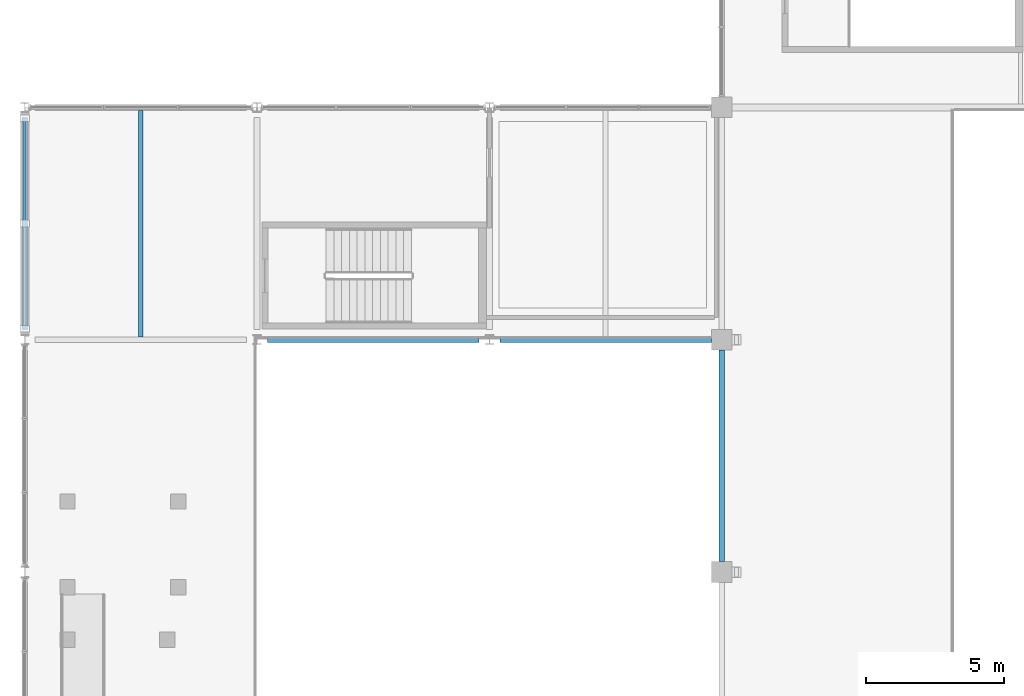
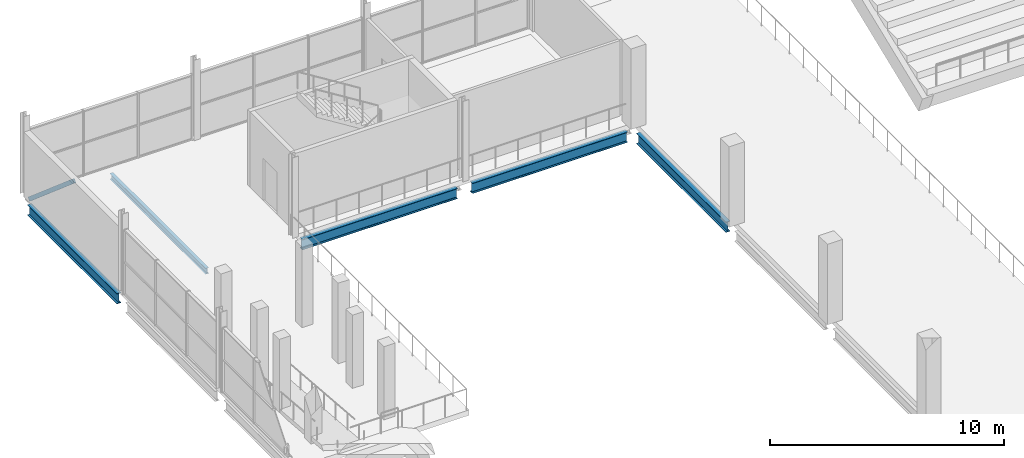
# One storey, part 49 of 161: 5 beams, 1 member.
"""IFC4 building model written with IfcOpenShell, lengths in metres."""

from ifc_helpers import new_model, si_unit, direction, frame, origin, origin_2d, place, context, subcontext, project, spatial, hollow_rectangle, i_section, extrude, material, material_profile, profile_set, type_object, element, save


model = new_model("IFC4")

# Units and contexts
model_context = context("Model", 3, precision=1e-05, world=origin(), true_north=direction((0.0, 1.0)))
body_context = subcontext(model_context, "Body", "Model", "MODEL_VIEW")
ifc_project = project(units=[si_unit("LENGTHUNIT", "METRE"), si_unit("AREAUNIT", "SQUARE_METRE"), si_unit("VOLUMEUNIT", "CUBIC_METRE"), si_unit("PLANEANGLEUNIT", "RADIAN"), si_unit("MASSUNIT", "GRAM", prefix="KILO"), si_unit("THERMODYNAMICTEMPERATUREUNIT", "KELVIN")], contexts=[model_context])

# Site, building, storey
site_placement = place(None, origin())
site = spatial("IfcSite", under=ifc_project, at=site_placement, CompositionType="ELEMENT")
building_placement = place(site_placement, origin())
building = spatial("IfcBuilding", under=site, at=building_placement, Name="Nduvali Passage Aquatics Centre", CompositionType="ELEMENT")
storey_placement = place(building_placement, frame((0.0, 0.0, 4.800048828125)))
storey = spatial("IfcBuildingStorey", under=building, at=storey_placement, Name="L01", CompositionType="ELEMENT", Elevation=4.800048828125)

# Beams
ifc_material = material(Name="Steel S355", Category="steel")
ifc_material_profile_1 = material_profile(ifc_material, i_section(OverallWidth=0.210693359375, OverallDepth=0.53955078125, WebThickness=0.01171875, FlangeThickness=0.018798828125, FilletRadius=0.0126953125, at=origin_2d()), Name="UKB 533x210x109")
ifc_profile_set_1 = profile_set([ifc_material_profile_1], Name="Steel S355")
beam_type_1 = type_object("IfcBeamType", Name="STR-BM-UKB533", PredefinedType="BEAM", material=ifc_profile_set_1)
beam_1_placement = place(storey_placement, frame((8.77490234375, 75.60009765625, -0.553955078125), z_axis=(1.0, 0.0, 0.0), x_axis=(0.0, 1.0, 0.0)))
element("IfcBeam", 1, at=beam_1_placement, inside=storey, type_object=beam_type_1, Name="L01 Primary X-Girder B6-0500", PredefinedType="BEAM", context=body_context, shape_type="SweptSolid", body=[
    extrude(i_section(OverallWidth=0.210693359375, OverallDepth=0.53955078125, WebThickness=0.01171875, FlangeThickness=0.018798828125, FilletRadius=0.0126953125, at=origin_2d()), origin(), (0.0, 0.0, 1.0), 7.650146484375),
])
beam_2_placement = place(storey_placement, frame((17.175048828125, 75.60009765625, -0.553955078125), z_axis=(1.0, 0.0, 0.0), x_axis=(0.0, 1.0, 0.0)))
element("IfcBeam", 2, at=beam_2_placement, inside=storey, type_object=beam_type_1, Name="L01 Primary X-Girder B6-0501", PredefinedType="BEAM", context=body_context, shape_type="SweptSolid", body=[
    extrude(i_section(OverallWidth=0.210693359375, OverallDepth=0.53955078125, WebThickness=0.01171875, FlangeThickness=0.018798828125, FilletRadius=0.0126953125, at=origin_2d()), origin(), (0.0, 0.0, 1.0), 7.64990234375),
])
ifc_material_profile_2 = material_profile(ifc_material, i_section(OverallWidth=0.210693359375, OverallDepth=0.53955078125, WebThickness=0.01171875, FlangeThickness=0.018798828125, FilletRadius=0.0126953125, at=origin_2d()), Name="UKB 533x210x109")
ifc_profile_set_2 = profile_set([ifc_material_profile_2], Name="Steel S355")
beam_type_2 = type_object("IfcBeamType", Name="STR-BM-UKB533-EXT", PredefinedType="BEAM", material=ifc_profile_set_2)
beam_3_placement = place(storey_placement, frame((0.0, 75.97509765625, -0.553955078125), z_axis=(0.0, 1.0, 0.0), x_axis=(-1.0, 0.0, 0.0)))
element("IfcBeam", 3, at=beam_3_placement, inside=storey, type_object=beam_type_2, Name="L01 Primary Y-Girder B6E-0563", PredefinedType="BEAM", context=body_context, shape_type="SweptSolid", body=[
    extrude(i_section(OverallWidth=0.210693359375, OverallDepth=0.53955078125, WebThickness=0.01171875, FlangeThickness=0.018798828125, FilletRadius=0.0126953125, at=origin_2d()), origin(), (0.0, 0.0, 1.0), 7.64990234375),
])
beam_4_placement = place(storey_placement, frame((25.199951171875, 67.574951171875, -0.553955078125), z_axis=(0.0, 1.0, 0.0), x_axis=(-1.0, 0.0, 0.0)))
element("IfcBeam", 4, at=beam_4_placement, inside=storey, type_object=beam_type_2, Name="L01 Primary Y-Girder B6E-0573", PredefinedType="BEAM", context=body_context, shape_type="SweptSolid", body=[
    extrude(i_section(OverallWidth=0.210693359375, OverallDepth=0.53955078125, WebThickness=0.01171875, FlangeThickness=0.018798828125, FilletRadius=0.0126953125, at=origin_2d()), origin(), (0.0, 0.0, 1.0), 7.650146484375),
])
ifc_material_profile_3 = material_profile(ifc_material, i_section(OverallWidth=0.165771484375, OverallDepth=0.306640625, WebThickness=0.006591796875, FlangeThickness=0.01171875, FilletRadius=0.0087890625, at=origin_2d()), Name="UKB 305x165x46")
ifc_profile_set_3 = profile_set([ifc_material_profile_3], Name="Steel S355")
beam_type_3 = type_object("IfcBeamType", Name="STR-JST-UKB305", PredefinedType="JOIST", material=ifc_profile_set_3)
beam_5_placement = place(storey_placement, frame((4.199951171875, 75.705322265625, -0.437255859375), z_axis=(0.0, 1.0, 0.0), x_axis=(-1.0, 0.0, 0.0)))
element("IfcBeam", 5, at=beam_5_placement, inside=storey, type_object=beam_type_3, Name="L01 Secondary Joist J3-0786", PredefinedType="JOIST", context=body_context, shape_type="SweptSolid", body=[
    extrude(i_section(OverallWidth=0.165771484375, OverallDepth=0.306640625, WebThickness=0.006591796875, FlangeThickness=0.01171875, FilletRadius=0.0087890625, at=origin_2d()), origin(), (0.0, 0.0, 1.0), 8.189208984375),
])

# Member
ifc_material_profile_4 = material_profile(ifc_material, hollow_rectangle(XDim=0.10009765625, YDim=0.199951171875, WallThickness=0.00634765625, at=origin_2d()), Name="RHS 200x100x6.3")
ifc_profile_set_4 = profile_set([ifc_material_profile_4], Name="Steel S355")
member_type = type_object("IfcMemberType", Name="STR-MEM-RHS200", PredefinedType="BRACE", material=ifc_profile_set_4)
member_placement = place(storey_placement, frame((0.0, 83.60009765625, 0.0), z_axis=(0.0, -0.759966128162, 0.649962678965), x_axis=(1.0, 0.0, 0.0)))
element("IfcMember", 6, at=member_placement, inside=storey, type_object=member_type, Name="L01 Chevron Frame Brace 4R", PredefinedType="BRACE", context=body_context, shape_type="SweptSolid", body=[
    extrude(hollow_rectangle(XDim=0.10009765625, YDim=0.199951171875, WallThickness=0.00634765625, at=origin_2d()), origin(), (0.0, 0.0, 1.0), 5.000244140625),
])

save(model, "model.ifc")
